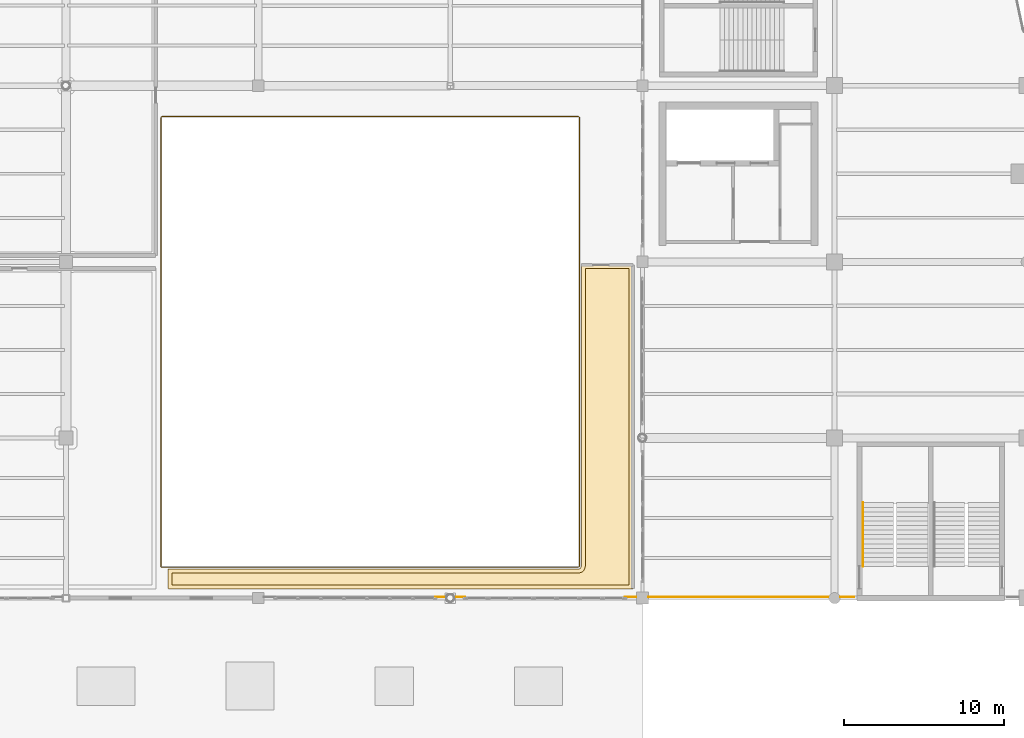
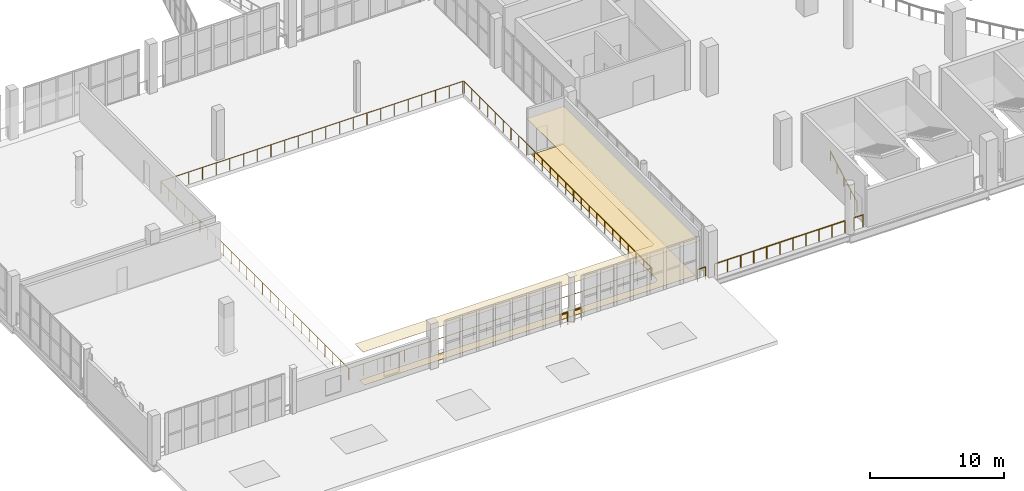
# One storey, part 94 of 108: 7 railings, 2 coverings.
"""IFC4 building model written with IfcOpenShell, lengths in metres."""

from ifc_helpers import new_model, si_unit, direction, frame, origin, origin_2d, place, context, subcontext, project, spatial, polyline, circle, outline, extrude, material, layer, layer_set, type_object, element, save


model = new_model("IFC4")

# Units and contexts
model_context = context("Model", 3, precision=1e-05, world=origin(), true_north=direction((0.0, 1.0)))
body_context = subcontext(model_context, "Body", "Model", "MODEL_VIEW")
ifc_project = project(units=[si_unit("LENGTHUNIT", "METRE"), si_unit("AREAUNIT", "SQUARE_METRE"), si_unit("VOLUMEUNIT", "CUBIC_METRE"), si_unit("PLANEANGLEUNIT", "RADIAN"), si_unit("MASSUNIT", "GRAM", prefix="KILO")], contexts=[model_context])

# Site, building, storey
site_placement = place(None, origin())
site = spatial("IfcSite", under=ifc_project, at=site_placement, CompositionType="ELEMENT")
building_placement = place(site_placement, origin())
building = spatial("IfcBuilding", under=site, at=building_placement, Name="Brinegate Civic Arena", CompositionType="ELEMENT")
storey_placement = place(building_placement, frame((0.0, 0.0, 10.199951171875)))
storey = spatial("IfcBuildingStorey", under=building, at=storey_placement, Name="L02", CompositionType="ELEMENT", Elevation=10.199951171875)

# Coverings
ifc_material_1 = material(Name="Acoustic perforated aluminium ceiling", Category="aluminium")
ifc_layer_1 = layer(ifc_material_1, 0.01806640625, Name="Acoustic perforated aluminium ceiling")
ifc_layer_set_1 = layer_set([ifc_layer_1], Name="Acoustic perforated aluminium ceiling")
covering_type_1 = type_object("IfcCoveringType", Name="CEILING-MOISTURE-18", PredefinedType="CEILING", material=ifc_layer_set_1)
covering_1_placement = place(storey_placement, frame((0.0, 0.0, 3.23193359375)))
element("IfcCovering", 1, at=covering_1_placement, inside=storey, type_object=covering_type_1, Name="Acoustic Ceiling L02-006", PredefinedType="CEILING", context=body_context, shape_type="SweptSolid", body=[
    extrude(outline(polyline([(47.419921875, 10.595947265625), (47.4189453125, 10.593994140625), (47.41796875, 10.592041015625), (47.41796875, 10.591064453125), (47.4169921875, 10.589111328125), (47.4150390625, 10.5869140625), (47.4140625, 10.5859375), (47.4130859375, 10.5849609375), (47.410888671875, 10.5830078125), (47.408935546875, 10.58203125), (47.407958984375, 10.58203125), (47.406005859375, 10.5810546875), (47.404052734375, 10.580078125), (47.402099609375, 10.580078125), (47.39990234375, 10.580078125), (18.39990234375, 10.580078125), (18.39794921875, 10.580078125), (18.39599609375, 10.580078125), (18.39404296875, 10.5810546875), (18.39208984375, 10.58203125), (18.39111328125, 10.58203125), (18.388916015625, 10.5830078125), (18.386962890625, 10.5849609375), (18.385986328125, 10.5859375), (18.385009765625, 10.5869140625), (18.383056640625, 10.589111328125), (18.382080078125, 10.591064453125), (18.382080078125, 10.592041015625), (18.381103515625, 10.593994140625), (18.3798828125, 10.595947265625), (18.3798828125, 10.597900390625), (18.3798828125, 10.60009765625), (18.3798828125, 11.800048828125), (18.3798828125, 11.802001953125), (18.3798828125, 11.803955078125), (18.381103515625, 11.805908203125), (18.382080078125, 11.80810546875), (18.382080078125, 11.80908203125), (18.383056640625, 11.81103515625), (18.385009765625, 11.81298828125), (18.385986328125, 11.81396484375), (18.386962890625, 11.81494140625), (18.388916015625, 11.81689453125), (18.39111328125, 11.818115234375), (18.39208984375, 11.818115234375), (18.39404296875, 11.819091796875), (18.39599609375, 11.820068359375), (18.39794921875, 11.820068359375), (18.39990234375, 11.820068359375), (43.998046875, 11.820068359375), (44.052001953125, 11.827880859375), (44.10009765625, 11.85107421875), (44.1259765625, 11.873046875), (44.157958984375, 11.916015625), (44.172119140625, 11.947021484375), (44.179931640625, 12.001953125), (44.179931640625, 30.800048828125), (44.179931640625, 30.802001953125), (44.179931640625, 30.803955078125), (44.180908203125, 30.805908203125), (44.181884765625, 30.80810546875), (44.181884765625, 30.80908203125), (44.18310546875, 30.81103515625), (44.18505859375, 30.81298828125), (44.18603515625, 30.81396484375), (44.18701171875, 30.81494140625), (44.18896484375, 30.81689453125), (44.19091796875, 30.818115234375), (44.19189453125, 30.818115234375), (44.194091796875, 30.819091796875), (44.196044921875, 30.820068359375), (44.197998046875, 30.820068359375), (44.199951171875, 30.820068359375), (47.39990234375, 30.820068359375), (47.402099609375, 30.820068359375), (47.404052734375, 30.820068359375), (47.406005859375, 30.819091796875), (47.407958984375, 30.818115234375), (47.408935546875, 30.818115234375), (47.410888671875, 30.81689453125), (47.4130859375, 30.81494140625), (47.4140625, 30.81396484375), (47.4150390625, 30.81298828125), (47.4169921875, 30.81103515625), (47.41796875, 30.80908203125), (47.41796875, 30.80810546875), (47.4189453125, 30.805908203125), (47.419921875, 30.803955078125), (47.419921875, 30.802001953125), (47.419921875, 30.800048828125), (47.419921875, 10.60009765625), (47.419921875, 10.597900390625), (47.419921875, 10.595947265625)])), origin(), (0.0, 0.0, 1.0), 0.01806640625),
])
ifc_material_2 = material(Name="Polished coral terrazzo flooring")
ifc_layer_2 = layer(ifc_material_2, 0.013916015625, Name="Polished coral terrazzo flooring")
ifc_layer_set_2 = layer_set([ifc_layer_2], Name="Polished coral terrazzo flooring")
covering_type_2 = type_object("IfcCoveringType", Name="FLOORING-ACOUSTIC-14", PredefinedType="FLOORING", material=ifc_layer_set_2)
covering_2_placement = place(storey_placement, origin())
element("IfcCovering", 2, at=covering_2_placement, inside=storey, type_object=covering_type_2, Name="Flooring L02-006", PredefinedType="FLOORING", context=body_context, shape_type="SweptSolid", body=[
    extrude(outline(polyline([(18.6298828125, 11.570068359375), (43.998046875, 11.570068359375), (44.01806640625, 11.571044921875), (44.037109375, 11.572998046875), (44.090087890625, 11.5810546875), (44.114013671875, 11.5859375), (44.136962890625, 11.593017578125), (44.158935546875, 11.60205078125), (44.20703125, 11.625), (44.22607421875, 11.635009765625), (44.242919921875, 11.64599609375), (44.260009765625, 11.658935546875), (44.285888671875, 11.680908203125), (44.30810546875, 11.700927734375), (44.326904296875, 11.72412109375), (44.35888671875, 11.76708984375), (44.3759765625, 11.7919921875), (44.388916015625, 11.820068359375), (44.402099609375, 11.85107421875), (44.412109375, 11.8798828125), (44.4189453125, 11.908935546875), (44.427001953125, 11.962890625), (44.428955078125, 11.98193359375), (44.429931640625, 12.001953125), (44.429931640625, 30.570068359375), (47.169921875, 30.570068359375), (47.169921875, 10.830078125), (18.6298828125, 10.830078125), (18.6298828125, 11.570068359375)])), origin(), (0.0, 0.0, 1.0), 0.01416015625),
])

# Railings
ifc_material_3 = material(Name="Architectural stainless steel balustrade", Category="steel")
railing_type_1 = type_object("IfcRailingType", Name="RAIL-STAIR-HANDRAIL-900", PredefinedType="HANDRAIL", material=ifc_material_3)
railing_1_placement = place(storey_placement, frame((61.77490234375, 11.969970703125, 0.0)))
element("IfcRailing", 3, at=railing_1_placement, inside=storey, type_object=railing_type_1, Name="Stair Pitch Handrail ST-02A L02", PredefinedType="HANDRAIL", context=body_context, shape_type="SweptSolid", body=[
    extrude(circle(Radius=0.02392578125, at=origin_2d()), frame((0.0, 0.001220703125, 0.876708984375), z_axis=(0.0, 0.871049806155, 0.491194701923), x_axis=(-1.0, 0.0, 0.0)), (0.0, 0.0, 1.0), 4.57763671875),
    extrude(circle(Radius=0.02099609375, at=origin_2d()), origin(), (0.0, 0.0, 1.0), 0.849853515625),
    extrude(circle(Radius=0.02099609375, at=origin_2d()), frame((0.0, 0.99755859375, 0.5625)), (0.0, 0.0, 1.0), 0.849853515625),
    extrude(circle(Radius=0.02099609375, at=origin_2d()), frame((0.0, 1.9951171875, 1.125)), (0.0, 0.0, 1.0), 0.849853515625),
    extrude(circle(Radius=0.02099609375, at=origin_2d()), frame((0.0, 2.992431640625, 1.6875)), (0.0, 0.0, 1.0), 0.849853515625),
    extrude(circle(Radius=0.02099609375, at=origin_2d()), frame((0.0, 3.989990234375, 2.25)), (0.0, 0.0, 1.0), 0.849853515625),
])
railing_type_2 = type_object("IfcRailingType", Name="RAIL-VOID-BALUSTRADE-1120", PredefinedType="BALUSTRADE", material=ifc_material_3)
railing_2_placement = place(storey_placement, frame((61.199951171875, 10.070068359375, 0.0)))
element("IfcRailing", 4, at=railing_2_placement, inside=storey, type_object=railing_type_2, Name="Deck Edge Balustrade L02-196", PredefinedType="BALUSTRADE", context=body_context, shape_type="SweptSolid", body=[
    extrude(circle(Radius=0.02392578125, at=origin_2d()), frame((-0.00146484375, 0.0, 1.09619140625), z_axis=(-1.0, 0.0, 0.0), x_axis=(0.0, -1.0, 0.0)), (0.0, 0.0, 1.0), 0.826904296875),
    extrude(circle(Radius=0.02099609375, at=origin_2d()), origin(), (0.0, 0.0, 1.0), 1.070068359375),
    extrude(circle(Radius=0.02099609375, at=origin_2d()), frame((-0.829833984375, 0.0, 0.0)), (0.0, 0.0, 1.0), 1.070068359375),
])
railing_3_placement = place(storey_placement, frame((59.6298828125, 10.070068359375, 0.0)))
element("IfcRailing", 5, at=railing_3_placement, inside=storey, type_object=railing_type_2, Name="Deck Edge Balustrade L02-197", PredefinedType="BALUSTRADE", context=body_context, shape_type="SweptSolid", body=[
    extrude(circle(Radius=0.02392578125, at=origin_2d()), frame((-0.00146484375, 0.0, 1.09619140625), z_axis=(-1.0, 0.0, 0.0), x_axis=(0.0, -1.0, 0.0)), (0.0, 0.0, 1.0), 11.23193359375),
    extrude(circle(Radius=0.02099609375, at=origin_2d()), origin(), (0.0, 0.0, 1.0), 1.070068359375),
    extrude(circle(Radius=0.02099609375, at=origin_2d()), frame((-1.12353515625, 0.0, 0.0)), (0.0, 0.0, 1.0), 1.070068359375),
    extrude(circle(Radius=0.02099609375, at=origin_2d()), frame((-2.2470703125, 0.0, 0.0)), (0.0, 0.0, 1.0), 1.070068359375),
    extrude(circle(Radius=0.02099609375, at=origin_2d()), frame((-3.370361328125, 0.0, 0.0)), (0.0, 0.0, 1.0), 1.070068359375),
    extrude(circle(Radius=0.02099609375, at=origin_2d()), frame((-4.493896484375, 0.0, 0.0)), (0.0, 0.0, 1.0), 1.070068359375),
    extrude(circle(Radius=0.02099609375, at=origin_2d()), frame((-5.617431640625, 0.0, 0.0)), (0.0, 0.0, 1.0), 1.070068359375),
    extrude(circle(Radius=0.02099609375, at=origin_2d()), frame((-6.740966796875, 0.0, 0.0)), (0.0, 0.0, 1.0), 1.070068359375),
    extrude(circle(Radius=0.02099609375, at=origin_2d()), frame((-7.864501953125, 0.0, 0.0)), (0.0, 0.0, 1.0), 1.070068359375),
    extrude(circle(Radius=0.02099609375, at=origin_2d()), frame((-8.98779296875, 0.0, 0.0)), (0.0, 0.0, 1.0), 1.070068359375),
    extrude(circle(Radius=0.02099609375, at=origin_2d()), frame((-10.111328125, 0.0, 0.0)), (0.0, 0.0, 1.0), 1.070068359375),
    extrude(circle(Radius=0.02099609375, at=origin_2d()), frame((-11.23486328125, 0.0, 0.0)), (0.0, 0.0, 1.0), 1.070068359375),
])
railing_4_placement = place(storey_placement, frame((47.60498046875, 10.070068359375, 0.0)))
element("IfcRailing", 6, at=railing_4_placement, inside=storey, type_object=railing_type_2, Name="Deck Edge Balustrade L02-198", PredefinedType="BALUSTRADE", context=body_context, shape_type="SweptSolid", body=[
    extrude(circle(Radius=0.02392578125, at=origin_2d()), frame((-0.00146484375, 0.0, 1.09619140625), z_axis=(-1.0, 0.0, 0.0), x_axis=(0.0, -1.0, 0.0)), (0.0, 0.0, 1.0), 0.68212890625),
    extrude(circle(Radius=0.02099609375, at=origin_2d()), origin(), (0.0, 0.0, 1.0), 1.070068359375),
    extrude(circle(Radius=0.02099609375, at=origin_2d()), frame((-0.68505859375, 0.0, 0.0)), (0.0, 0.0, 1.0), 1.070068359375),
])
for number, where, name in (
    (7, (36.908935546875, 10.070068359375, 0.0), "Deck Edge Balustrade L02-199"),
    (8, (35.72607421875, 10.070068359375, 0.0), "Deck Edge Balustrade L02-200"),
):
    element("IfcRailing", number, at=place(storey_placement, frame(where)), inside=storey, type_object=railing_type_2, Name=name, PredefinedType="BALUSTRADE", context=body_context, shape_type="SweptSolid", body=[
        extrude(circle(Radius=0.02392578125, at=origin_2d()), frame((-0.00146484375, 0.0, 1.09619140625), z_axis=(-1.0, 0.0, 0.0), x_axis=(0.0, -1.0, 0.0)), (0.0, 0.0, 1.0), 0.632080078125),
        extrude(circle(Radius=0.02099609375, at=origin_2d()), origin(), (0.0, 0.0, 1.0), 1.070068359375),
        extrude(circle(Radius=0.02099609375, at=origin_2d()), frame((-0.635009765625, 0.0, 0.0)), (0.0, 0.0, 1.0), 1.070068359375),
    ])
railing_5_placement = place(storey_placement, frame((18.0, 40.070068359375, 0.0)))
element("IfcRailing", 9, at=railing_5_placement, inside=storey, type_object=railing_type_2, Name="Deck Edge Balustrade L02-212", PredefinedType="BALUSTRADE", context=body_context, shape_type="SweptSolid", body=[
    extrude(circle(Radius=0.02392578125, at=origin_2d()), frame((-0.00146484375, -0.000244140625, 1.09619140625), z_axis=(-0.98766511198, -0.156581054338, 0.0), x_axis=(0.156581054338, -0.98766511198, 0.0)), (0.0, 0.0, 1.0), 0.017333984375),
    extrude(circle(Radius=0.02392578125, at=origin_2d()), frame((-0.021484375, -0.00390625, 1.09619140625), z_axis=(-0.9079593845, -0.419058177462, 0.0), x_axis=(0.419058177462, -0.9079593845, 0.0)), (0.0, 0.0, 1.0), 0.01806640625),
    extrude(circle(Radius=0.02392578125, at=origin_2d()), frame((-0.0400390625, -0.012939453125, 1.09619140625), z_axis=(-0.724702747327, -0.689061628606, 0.0), x_axis=(0.689061628606, -0.724702747327, 0.0)), (0.0, 0.0, 1.0), 0.017578125),
    extrude(circle(Radius=0.02392578125, at=origin_2d()), frame((-0.0546875, -0.02734375, 1.09619140625), z_axis=(-0.546267780547, -0.837610596839, 0.0), x_axis=(0.837610596839, -0.546267780547, 0.0)), (0.0, 0.0, 1.0), 0.01708984375),
    extrude(circle(Radius=0.02392578125, at=origin_2d()), frame((-0.0654296875, -0.04443359375, 1.09619140625), z_axis=(-0.248091107232, -0.968736704431, 0.0), x_axis=(0.968736704431, -0.248091107232, 0.0)), (0.0, 0.0, 1.0), 0.017578125),
    extrude(circle(Radius=0.02392578125, at=origin_2d()), frame((-0.070068359375, -0.064453125, 1.09619140625), z_axis=(0.0, -1.0, 0.0), x_axis=(1.0, 0.0, 0.0)), (0.0, 0.0, 1.0), 28.004150390625),
    extrude(circle(Radius=0.02392578125, at=origin_2d()), frame((-0.06982421875, -28.071533203125, 1.09619140625), z_axis=(0.156581054338, -0.98766511198, 0.0), x_axis=(0.98766511198, 0.156581054338, 0.0)), (0.0, 0.0, 1.0), 0.017333984375),
    extrude(circle(Radius=0.02392578125, at=origin_2d()), frame((-0.066162109375, -28.091552734375, 1.09619140625), z_axis=(0.419058177462, -0.9079593845, 0.0), x_axis=(0.9079593845, 0.419058177462, 0.0)), (0.0, 0.0, 1.0), 0.01806640625),
    extrude(circle(Radius=0.02392578125, at=origin_2d()), frame((-0.05712890625, -28.110107421875, 1.09619140625), z_axis=(0.689061628606, -0.724702747327, 0.0), x_axis=(0.724702747327, 0.689061628606, 0.0)), (0.0, 0.0, 1.0), 0.017578125),
    extrude(circle(Radius=0.02392578125, at=origin_2d()), frame((-0.042724609375, -28.124755859375, 1.09619140625), z_axis=(0.837610596839, -0.546267780547, 0.0), x_axis=(0.546267780547, 0.837610596839, 0.0)), (0.0, 0.0, 1.0), 0.01708984375),
    extrude(circle(Radius=0.02392578125, at=origin_2d()), frame((-0.025634765625, -28.135498046875, 1.09619140625), z_axis=(0.968736704431, -0.248091107232, 0.0), x_axis=(0.248091107232, 0.968736704431, 0.0)), (0.0, 0.0, 1.0), 0.017578125),
    extrude(circle(Radius=0.02392578125, at=origin_2d()), frame((-0.005615234375, -28.14013671875, 1.09619140625), z_axis=(1.0, 0.0, 0.0), x_axis=(0.0, 1.0, 0.0)), (0.0, 0.0, 1.0), 26.004150390625),
    extrude(circle(Radius=0.02392578125, at=origin_2d()), frame((26.00146484375, -28.139892578125, 1.09619140625), z_axis=(0.98766511198, 0.156581054338, 0.0), x_axis=(-0.156581054338, 0.98766511198, 0.0)), (0.0, 0.0, 1.0), 0.017333984375),
    extrude(circle(Radius=0.02392578125, at=origin_2d()), frame((26.021484375, -28.13623046875, 1.09619140625), z_axis=(0.9079593845, 0.419058177462, 0.0), x_axis=(-0.419058177462, 0.9079593845, 0.0)), (0.0, 0.0, 1.0), 0.01806640625),
    extrude(circle(Radius=0.02392578125, at=origin_2d()), frame((26.0400390625, -28.127197265625, 1.09619140625), z_axis=(0.724702747327, 0.689061628606, 0.0), x_axis=(-0.689061628606, 0.724702747327, 0.0)), (0.0, 0.0, 1.0), 0.017578125),
    extrude(circle(Radius=0.02392578125, at=origin_2d()), frame((26.0546875, -28.11279296875, 1.09619140625), z_axis=(0.546267780547, 0.837610596839, 0.0), x_axis=(-0.837610596839, 0.546267780547, 0.0)), (0.0, 0.0, 1.0), 0.01708984375),
    extrude(circle(Radius=0.02392578125, at=origin_2d()), frame((26.0654296875, -28.095703125, 1.09619140625), z_axis=(0.248091107232, 0.968736704431, 0.0), x_axis=(-0.968736704431, 0.248091107232, 0.0)), (0.0, 0.0, 1.0), 0.017578125),
    extrude(circle(Radius=0.02392578125, at=origin_2d()), frame((26.070068359375, -28.07568359375, 1.09619140625), z_axis=(0.0, 1.0, 0.0), x_axis=(-1.0, 0.0, 0.0)), (0.0, 0.0, 1.0), 28.004150390625),
    extrude(circle(Radius=0.02392578125, at=origin_2d()), frame((26.06982421875, -0.068603515625, 1.09619140625), z_axis=(-0.156581054338, 0.98766511198, 0.0), x_axis=(-0.98766511198, -0.156581054338, 0.0)), (0.0, 0.0, 1.0), 0.017333984375),
    extrude(circle(Radius=0.02392578125, at=origin_2d()), frame((26.066162109375, -0.048583984375, 1.09619140625), z_axis=(-0.419058177462, 0.9079593845, 0.0), x_axis=(-0.9079593845, -0.419058177462, 0.0)), (0.0, 0.0, 1.0), 0.01806640625),
    extrude(circle(Radius=0.02392578125, at=origin_2d()), frame((26.05712890625, -0.030029296875, 1.09619140625), z_axis=(-0.689061628606, 0.724702747327, 0.0), x_axis=(-0.724702747327, -0.689061628606, 0.0)), (0.0, 0.0, 1.0), 0.017578125),
    extrude(circle(Radius=0.02392578125, at=origin_2d()), frame((26.042724609375, -0.015380859375, 1.09619140625), z_axis=(-0.837610596839, 0.546267780547, 0.0), x_axis=(-0.546267780547, -0.837610596839, 0.0)), (0.0, 0.0, 1.0), 0.01708984375),
    extrude(circle(Radius=0.02392578125, at=origin_2d()), frame((26.025634765625, -0.004638671875, 1.09619140625), z_axis=(-0.968736704431, 0.248091107232, 0.0), x_axis=(-0.248091107232, -0.968736704431, 0.0)), (0.0, 0.0, 1.0), 0.017578125),
    extrude(circle(Radius=0.02392578125, at=origin_2d()), frame((26.005615234375, 0.0, 1.09619140625), z_axis=(-1.0, 0.0, 0.0), x_axis=(0.0, -1.0, 0.0)), (0.0, 0.0, 1.0), 26.004150390625),
    extrude(circle(Radius=0.02099609375, at=origin_2d()), origin(), (0.0, 0.0, 1.0), 1.070068359375),
    extrude(circle(Radius=0.02099609375, at=origin_2d()), frame((-0.070068359375, -0.06298828125, 0.0)), (0.0, 0.0, 1.0), 1.070068359375),
    extrude(circle(Radius=0.02099609375, at=origin_2d()), frame((-0.070068359375, -1.22998046875, 0.0)), (0.0, 0.0, 1.0), 1.070068359375),
    extrude(circle(Radius=0.02099609375, at=origin_2d()), frame((-0.070068359375, -2.39697265625, 0.0)), (0.0, 0.0, 1.0), 1.070068359375),
    extrude(circle(Radius=0.02099609375, at=origin_2d()), frame((-0.070068359375, -3.56396484375, 0.0)), (0.0, 0.0, 1.0), 1.070068359375),
    extrude(circle(Radius=0.02099609375, at=origin_2d()), frame((-0.070068359375, -4.73095703125, 0.0)), (0.0, 0.0, 1.0), 1.070068359375),
    extrude(circle(Radius=0.02099609375, at=origin_2d()), frame((-0.070068359375, -5.897705078125, 0.0)), (0.0, 0.0, 1.0), 1.070068359375),
    extrude(circle(Radius=0.02099609375, at=origin_2d()), frame((-0.070068359375, -7.064697265625, 0.0)), (0.0, 0.0, 1.0), 1.070068359375),
    extrude(circle(Radius=0.02099609375, at=origin_2d()), frame((-0.070068359375, -8.231689453125, 0.0)), (0.0, 0.0, 1.0), 1.070068359375),
    extrude(circle(Radius=0.02099609375, at=origin_2d()), frame((-0.070068359375, -9.398681640625, 0.0)), (0.0, 0.0, 1.0), 1.070068359375),
    extrude(circle(Radius=0.02099609375, at=origin_2d()), frame((-0.070068359375, -10.565673828125, 0.0)), (0.0, 0.0, 1.0), 1.070068359375),
    extrude(circle(Radius=0.02099609375, at=origin_2d()), frame((-0.070068359375, -11.732666015625, 0.0)), (0.0, 0.0, 1.0), 1.070068359375),
    extrude(circle(Radius=0.02099609375, at=origin_2d()), frame((-0.070068359375, -12.899658203125, 0.0)), (0.0, 0.0, 1.0), 1.070068359375),
    extrude(circle(Radius=0.02099609375, at=origin_2d()), frame((-0.070068359375, -14.06640625, 0.0)), (0.0, 0.0, 1.0), 1.070068359375),
    extrude(circle(Radius=0.02099609375, at=origin_2d()), frame((-0.070068359375, -15.2333984375, 0.0)), (0.0, 0.0, 1.0), 1.070068359375),
    extrude(circle(Radius=0.02099609375, at=origin_2d()), frame((-0.070068359375, -16.400390625, 0.0)), (0.0, 0.0, 1.0), 1.070068359375),
    extrude(circle(Radius=0.02099609375, at=origin_2d()), frame((-0.070068359375, -17.5673828125, 0.0)), (0.0, 0.0, 1.0), 1.070068359375),
    extrude(circle(Radius=0.02099609375, at=origin_2d()), frame((-0.070068359375, -18.734375, 0.0)), (0.0, 0.0, 1.0), 1.070068359375),
    extrude(circle(Radius=0.02099609375, at=origin_2d()), frame((-0.070068359375, -19.9013671875, 0.0)), (0.0, 0.0, 1.0), 1.070068359375),
    extrude(circle(Radius=0.02099609375, at=origin_2d()), frame((-0.070068359375, -21.068359375, 0.0)), (0.0, 0.0, 1.0), 1.070068359375),
    extrude(circle(Radius=0.02099609375, at=origin_2d()), frame((-0.070068359375, -22.2353515625, 0.0)), (0.0, 0.0, 1.0), 1.070068359375),
    extrude(circle(Radius=0.02099609375, at=origin_2d()), frame((-0.070068359375, -23.40234375, 0.0)), (0.0, 0.0, 1.0), 1.070068359375),
    extrude(circle(Radius=0.02099609375, at=origin_2d()), frame((-0.070068359375, -24.569091796875, 0.0)), (0.0, 0.0, 1.0), 1.070068359375),
    extrude(circle(Radius=0.02099609375, at=origin_2d()), frame((-0.070068359375, -25.736083984375, 0.0)), (0.0, 0.0, 1.0), 1.070068359375),
    extrude(circle(Radius=0.02099609375, at=origin_2d()), frame((-0.070068359375, -26.903076171875, 0.0)), (0.0, 0.0, 1.0), 1.070068359375),
    extrude(circle(Radius=0.02099609375, at=origin_2d()), frame((-0.070068359375, -28.070068359375, 0.0)), (0.0, 0.0, 1.0), 1.070068359375),
    extrude(circle(Radius=0.02099609375, at=origin_2d()), frame((-0.007080078125, -28.14013671875, 0.0)), (0.0, 0.0, 1.0), 1.070068359375),
    extrude(circle(Radius=0.02099609375, at=origin_2d()), frame((1.175048828125, -28.14013671875, 0.0)), (0.0, 0.0, 1.0), 1.070068359375),
    extrude(circle(Radius=0.02099609375, at=origin_2d()), frame((2.357177734375, -28.14013671875, 0.0)), (0.0, 0.0, 1.0), 1.070068359375),
    extrude(circle(Radius=0.02099609375, at=origin_2d()), frame((3.539306640625, -28.14013671875, 0.0)), (0.0, 0.0, 1.0), 1.070068359375),
    extrude(circle(Radius=0.02099609375, at=origin_2d()), frame((4.721435546875, -28.14013671875, 0.0)), (0.0, 0.0, 1.0), 1.070068359375),
    extrude(circle(Radius=0.02099609375, at=origin_2d()), frame((5.903564453125, -28.14013671875, 0.0)), (0.0, 0.0, 1.0), 1.070068359375),
    extrude(circle(Radius=0.02099609375, at=origin_2d()), frame((7.085693359375, -28.14013671875, 0.0)), (0.0, 0.0, 1.0), 1.070068359375),
    extrude(circle(Radius=0.02099609375, at=origin_2d()), frame((8.267822265625, -28.14013671875, 0.0)), (0.0, 0.0, 1.0), 1.070068359375),
    extrude(circle(Radius=0.02099609375, at=origin_2d()), frame((9.449951171875, -28.14013671875, 0.0)), (0.0, 0.0, 1.0), 1.070068359375),
    extrude(circle(Radius=0.02099609375, at=origin_2d()), frame((10.632080078125, -28.14013671875, 0.0)), (0.0, 0.0, 1.0), 1.070068359375),
    extrude(circle(Radius=0.02099609375, at=origin_2d()), frame((11.814208984375, -28.14013671875, 0.0)), (0.0, 0.0, 1.0), 1.070068359375),
    extrude(circle(Radius=0.02099609375, at=origin_2d()), frame((12.99658203125, -28.14013671875, 0.0)), (0.0, 0.0, 1.0), 1.070068359375),
    extrude(circle(Radius=0.02099609375, at=origin_2d()), frame((14.1787109375, -28.14013671875, 0.0)), (0.0, 0.0, 1.0), 1.070068359375),
    extrude(circle(Radius=0.02099609375, at=origin_2d()), frame((15.36083984375, -28.14013671875, 0.0)), (0.0, 0.0, 1.0), 1.070068359375),
    extrude(circle(Radius=0.02099609375, at=origin_2d()), frame((16.54296875, -28.14013671875, 0.0)), (0.0, 0.0, 1.0), 1.070068359375),
    extrude(circle(Radius=0.02099609375, at=origin_2d()), frame((17.72509765625, -28.14013671875, 0.0)), (0.0, 0.0, 1.0), 1.070068359375),
    extrude(circle(Radius=0.02099609375, at=origin_2d()), frame((18.9072265625, -28.14013671875, 0.0)), (0.0, 0.0, 1.0), 1.070068359375),
    extrude(circle(Radius=0.02099609375, at=origin_2d()), frame((20.08935546875, -28.14013671875, 0.0)), (0.0, 0.0, 1.0), 1.070068359375),
    extrude(circle(Radius=0.02099609375, at=origin_2d()), frame((21.271484375, -28.14013671875, 0.0)), (0.0, 0.0, 1.0), 1.070068359375),
    extrude(circle(Radius=0.02099609375, at=origin_2d()), frame((22.45361328125, -28.14013671875, 0.0)), (0.0, 0.0, 1.0), 1.070068359375),
    extrude(circle(Radius=0.02099609375, at=origin_2d()), frame((23.6357421875, -28.14013671875, 0.0)), (0.0, 0.0, 1.0), 1.070068359375),
    extrude(circle(Radius=0.02099609375, at=origin_2d()), frame((24.81787109375, -28.14013671875, 0.0)), (0.0, 0.0, 1.0), 1.070068359375),
    extrude(circle(Radius=0.02099609375, at=origin_2d()), frame((26.0, -28.14013671875, 0.0)), (0.0, 0.0, 1.0), 1.070068359375),
    extrude(circle(Radius=0.02099609375, at=origin_2d()), frame((26.070068359375, -28.0771484375, 0.0)), (0.0, 0.0, 1.0), 1.070068359375),
    extrude(circle(Radius=0.02099609375, at=origin_2d()), frame((26.070068359375, -26.91015625, 0.0)), (0.0, 0.0, 1.0), 1.070068359375),
    extrude(circle(Radius=0.02099609375, at=origin_2d()), frame((26.070068359375, -25.7431640625, 0.0)), (0.0, 0.0, 1.0), 1.070068359375),
    extrude(circle(Radius=0.02099609375, at=origin_2d()), frame((26.070068359375, -24.576171875, 0.0)), (0.0, 0.0, 1.0), 1.070068359375),
    extrude(circle(Radius=0.02099609375, at=origin_2d()), frame((26.070068359375, -23.4091796875, 0.0)), (0.0, 0.0, 1.0), 1.070068359375),
    extrude(circle(Radius=0.02099609375, at=origin_2d()), frame((26.070068359375, -22.242431640625, 0.0)), (0.0, 0.0, 1.0), 1.070068359375),
    extrude(circle(Radius=0.02099609375, at=origin_2d()), frame((26.070068359375, -21.075439453125, 0.0)), (0.0, 0.0, 1.0), 1.070068359375),
    extrude(circle(Radius=0.02099609375, at=origin_2d()), frame((26.070068359375, -19.908447265625, 0.0)), (0.0, 0.0, 1.0), 1.070068359375),
    extrude(circle(Radius=0.02099609375, at=origin_2d()), frame((26.070068359375, -18.741455078125, 0.0)), (0.0, 0.0, 1.0), 1.070068359375),
    extrude(circle(Radius=0.02099609375, at=origin_2d()), frame((26.070068359375, -17.574462890625, 0.0)), (0.0, 0.0, 1.0), 1.070068359375),
    extrude(circle(Radius=0.02099609375, at=origin_2d()), frame((26.070068359375, -16.407470703125, 0.0)), (0.0, 0.0, 1.0), 1.070068359375),
    extrude(circle(Radius=0.02099609375, at=origin_2d()), frame((26.070068359375, -15.240478515625, 0.0)), (0.0, 0.0, 1.0), 1.070068359375),
    extrude(circle(Radius=0.02099609375, at=origin_2d()), frame((26.070068359375, -14.07373046875, 0.0)), (0.0, 0.0, 1.0), 1.070068359375),
    extrude(circle(Radius=0.02099609375, at=origin_2d()), frame((26.070068359375, -12.90673828125, 0.0)), (0.0, 0.0, 1.0), 1.070068359375),
    extrude(circle(Radius=0.02099609375, at=origin_2d()), frame((26.070068359375, -11.73974609375, 0.0)), (0.0, 0.0, 1.0), 1.070068359375),
    extrude(circle(Radius=0.02099609375, at=origin_2d()), frame((26.070068359375, -10.57275390625, 0.0)), (0.0, 0.0, 1.0), 1.070068359375),
    extrude(circle(Radius=0.02099609375, at=origin_2d()), frame((26.070068359375, -9.40576171875, 0.0)), (0.0, 0.0, 1.0), 1.070068359375),
    extrude(circle(Radius=0.02099609375, at=origin_2d()), frame((26.070068359375, -8.23876953125, 0.0)), (0.0, 0.0, 1.0), 1.070068359375),
    extrude(circle(Radius=0.02099609375, at=origin_2d()), frame((26.070068359375, -7.07177734375, 0.0)), (0.0, 0.0, 1.0), 1.070068359375),
    extrude(circle(Radius=0.02099609375, at=origin_2d()), frame((26.070068359375, -5.90478515625, 0.0)), (0.0, 0.0, 1.0), 1.070068359375),
    extrude(circle(Radius=0.02099609375, at=origin_2d()), frame((26.070068359375, -4.73779296875, 0.0)), (0.0, 0.0, 1.0), 1.070068359375),
    extrude(circle(Radius=0.02099609375, at=origin_2d()), frame((26.070068359375, -3.571044921875, 0.0)), (0.0, 0.0, 1.0), 1.070068359375),
    extrude(circle(Radius=0.02099609375, at=origin_2d()), frame((26.070068359375, -2.404052734375, 0.0)), (0.0, 0.0, 1.0), 1.070068359375),
    extrude(circle(Radius=0.02099609375, at=origin_2d()), frame((26.070068359375, -1.237060546875, 0.0)), (0.0, 0.0, 1.0), 1.070068359375),
    extrude(circle(Radius=0.02099609375, at=origin_2d()), frame((26.070068359375, -0.070068359375, 0.0)), (0.0, 0.0, 1.0), 1.070068359375),
    extrude(circle(Radius=0.02099609375, at=origin_2d()), frame((26.007080078125, 0.0, 0.0)), (0.0, 0.0, 1.0), 1.070068359375),
    extrude(circle(Radius=0.02099609375, at=origin_2d()), frame((24.824951171875, 0.0, 0.0)), (0.0, 0.0, 1.0), 1.070068359375),
    extrude(circle(Radius=0.02099609375, at=origin_2d()), frame((23.642822265625, 0.0, 0.0)), (0.0, 0.0, 1.0), 1.070068359375),
    extrude(circle(Radius=0.02099609375, at=origin_2d()), frame((22.460693359375, 0.0, 0.0)), (0.0, 0.0, 1.0), 1.070068359375),
    extrude(circle(Radius=0.02099609375, at=origin_2d()), frame((21.278564453125, 0.0, 0.0)), (0.0, 0.0, 1.0), 1.070068359375),
    extrude(circle(Radius=0.02099609375, at=origin_2d()), frame((20.096435546875, 0.0, 0.0)), (0.0, 0.0, 1.0), 1.070068359375),
    extrude(circle(Radius=0.02099609375, at=origin_2d()), frame((18.914306640625, 0.0, 0.0)), (0.0, 0.0, 1.0), 1.070068359375),
    extrude(circle(Radius=0.02099609375, at=origin_2d()), frame((17.732177734375, 0.0, 0.0)), (0.0, 0.0, 1.0), 1.070068359375),
    extrude(circle(Radius=0.02099609375, at=origin_2d()), frame((16.550048828125, 0.0, 0.0)), (0.0, 0.0, 1.0), 1.070068359375),
    extrude(circle(Radius=0.02099609375, at=origin_2d()), frame((15.367919921875, 0.0, 0.0)), (0.0, 0.0, 1.0), 1.070068359375),
    extrude(circle(Radius=0.02099609375, at=origin_2d()), frame((14.185791015625, 0.0, 0.0)), (0.0, 0.0, 1.0), 1.070068359375),
    extrude(circle(Radius=0.02099609375, at=origin_2d()), frame((13.00341796875, 0.0, 0.0)), (0.0, 0.0, 1.0), 1.070068359375),
    extrude(circle(Radius=0.02099609375, at=origin_2d()), frame((11.8212890625, 0.0, 0.0)), (0.0, 0.0, 1.0), 1.070068359375),
    extrude(circle(Radius=0.02099609375, at=origin_2d()), frame((10.63916015625, 0.0, 0.0)), (0.0, 0.0, 1.0), 1.070068359375),
    extrude(circle(Radius=0.02099609375, at=origin_2d()), frame((9.45703125, 0.0, 0.0)), (0.0, 0.0, 1.0), 1.070068359375),
    extrude(circle(Radius=0.02099609375, at=origin_2d()), frame((8.27490234375, 0.0, 0.0)), (0.0, 0.0, 1.0), 1.070068359375),
    extrude(circle(Radius=0.02099609375, at=origin_2d()), frame((7.0927734375, 0.0, 0.0)), (0.0, 0.0, 1.0), 1.070068359375),
    extrude(circle(Radius=0.02099609375, at=origin_2d()), frame((5.91064453125, 0.0, 0.0)), (0.0, 0.0, 1.0), 1.070068359375),
    extrude(circle(Radius=0.02099609375, at=origin_2d()), frame((4.728515625, 0.0, 0.0)), (0.0, 0.0, 1.0), 1.070068359375),
    extrude(circle(Radius=0.02099609375, at=origin_2d()), frame((3.54638671875, 0.0, 0.0)), (0.0, 0.0, 1.0), 1.070068359375),
    extrude(circle(Radius=0.02099609375, at=origin_2d()), frame((2.3642578125, 0.0, 0.0)), (0.0, 0.0, 1.0), 1.070068359375),
    extrude(circle(Radius=0.02099609375, at=origin_2d()), frame((1.18212890625, 0.0, 0.0)), (0.0, 0.0, 1.0), 1.070068359375),
])

save(model, "model.ifc")
